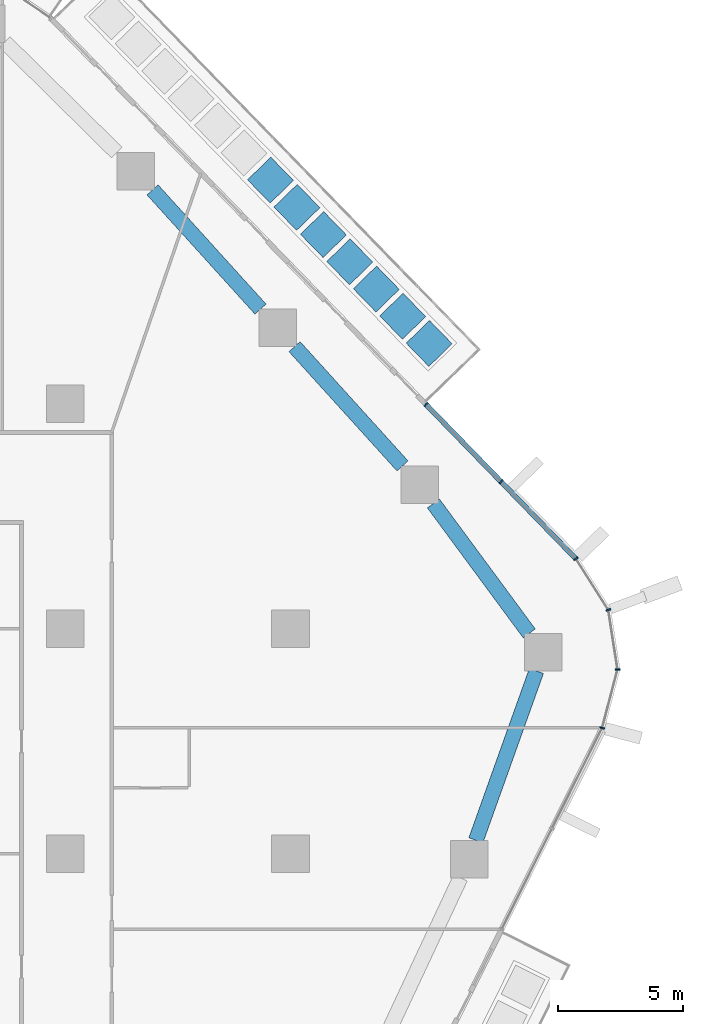
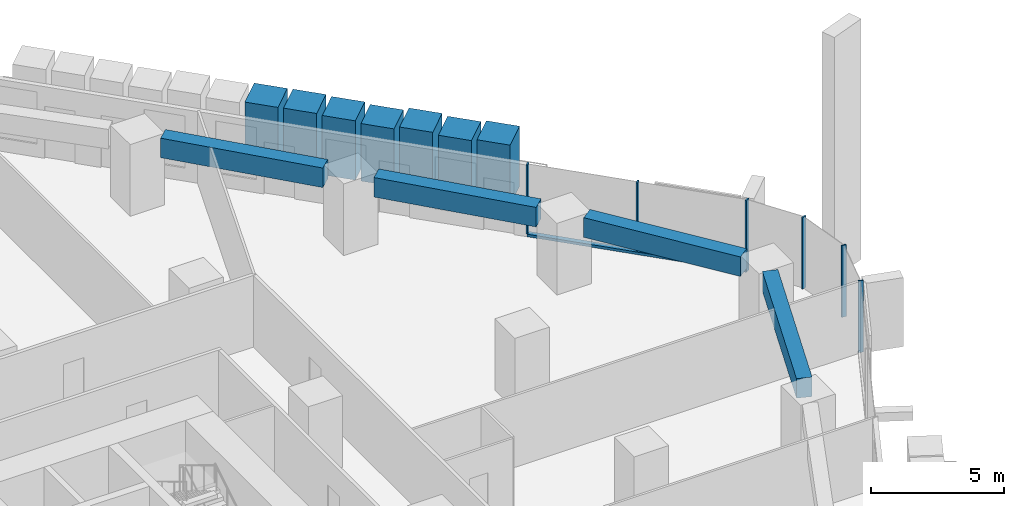
# One storey, part 8 of 26: 14 members, 4 beams, 2 elements without a shape of their own.
"""IFC4 building model written with IfcOpenShell, lengths in metres."""

from ifc_helpers import new_model, si_unit, direction, frame, origin, origin_2d, place, context, subcontext, project, spatial, rectangle, extrude, material, layer, layer_set, material_profile, profile_set, type_object, element, aggregate, save


model = new_model("IFC4")

# Units and contexts
model_context = context("Model", 3, precision=1e-05, world=origin(), true_north=direction((0.0, 1.0)))
body_context = subcontext(model_context, "Body", "Model", "MODEL_VIEW")
ifc_project = project(units=[si_unit("LENGTHUNIT", "METRE"), si_unit("AREAUNIT", "SQUARE_METRE"), si_unit("VOLUMEUNIT", "CUBIC_METRE"), si_unit("PLANEANGLEUNIT", "RADIAN"), si_unit("MASSUNIT", "GRAM", prefix="KILO")], contexts=[model_context])

# Site, building, storey
site_placement = place(None, origin())
site = spatial("IfcSite", under=ifc_project, at=site_placement, CompositionType="ELEMENT")
building_placement = place(site_placement, origin())
building = spatial("IfcBuilding", under=site, at=building_placement, Name="Dongbaek Canopy Tower", CompositionType="ELEMENT")
storey_placement = place(building_placement, frame((0.0, 0.0, 66.199951171875)))
storey = spatial("IfcBuildingStorey", under=building, at=storey_placement, Name="L12", CompositionType="ELEMENT", Elevation=66.199951171875)

# Curtain wall, members
ifc_material_1 = material(Name="Aluminium 6063-T6 pale anodised", Category="aluminium")
ifc_layer = layer(ifc_material_1, 0.199951171875)
ifc_layer_set = layer_set([ifc_layer], Name="CW-1 unitised tower curtain wall")
curtain_wall_type = type_object("IfcCurtainWallType", Name="CW-1 unitised tower curtain wall", PredefinedType="NOTDEFINED", material=ifc_layer_set)
curtain_wall_1_placement = place(storey_placement, origin())
curtain_wall_1 = element("IfcCurtainWall", 1, at=curtain_wall_1_placement, inside=storey, type_object=curtain_wall_type, Name="CW-1 curtain wall K0.1", PredefinedType="NOTDEFINED")
ifc_material_2 = material(Name="Aluminium 6063-T6 pale anodised", Category="aluminium")
ifc_material_profile_1 = material_profile(ifc_material_2, rectangle(XDim=0.199951171875, YDim=0.06005859375, at=origin_2d()), Name="CW-1 mullion 60 x 200")
ifc_profile_set_1 = profile_set([ifc_material_profile_1], Name="Aluminium 6063-T6 pale anodised")
member_type_1 = type_object("IfcMemberType", Name="CW-1 mullion 60 x 200", PredefinedType="MULLION", material=ifc_profile_set_1)
member_1_placement = place(storey_placement, frame((39.460693359375, 5.0390625, 0.0), z_axis=(0.0, 0.0, 1.0), x_axis=(0.967124445532, -0.254303572242, 0.0)))
member_1 = element("IfcMember", 2, at=member_1_placement, type_object=member_type_1, Name="CW-1 mullion K0.1.1", PredefinedType="MULLION", context=body_context, shape_type="SweptSolid", body=[
    extrude(rectangle(XDim=0.199951171875, YDim=0.06005859375, at=origin_2d()), origin(), (0.0, 0.0, 1.0), 3.300048828125),
])
member_2_placement = place(storey_placement, frame((40.07568359375, 7.37841796875, 0.0), z_axis=(0.0, 0.0, 1.0), x_axis=(0.99867447702, -0.051471243905, 0.0)))
member_2 = element("IfcMember", 3, at=member_2_placement, type_object=member_type_1, Name="CW-1 mullion K0.1.2", PredefinedType="MULLION", context=body_context, shape_type="SweptSolid", body=[
    extrude(rectangle(XDim=0.199951171875, YDim=0.06005859375, at=origin_2d()), origin(), (0.0, 0.0, 1.0), 3.300048828125),
])
member_3_placement = place(storey_placement, frame((39.7060546875, 9.758544921875, 0.0), z_axis=(0.0, 0.0, 1.0), x_axis=(0.935976740215, 0.352061843681, 0.0)))
member_3 = element("IfcMember", 4, at=member_3_placement, type_object=member_type_1, Name="CW-1 mullion K0.1.3", PredefinedType="MULLION", context=body_context, shape_type="SweptSolid", body=[
    extrude(rectangle(XDim=0.199951171875, YDim=0.06005859375, at=origin_2d()), origin(), (0.0, 0.0, 1.0), 3.300048828125),
])
member_4_placement = place(storey_placement, frame((38.409912109375, 11.801025390625, 0.0), z_axis=(0.0, 0.0, 1.0), x_axis=(0.844370826203, 0.535759188309, 0.0)))
member_4 = element("IfcMember", 5, at=member_4_placement, type_object=member_type_1, Name="CW-1 mullion K0.1.4", PredefinedType="MULLION", context=body_context, shape_type="SweptSolid", body=[
    extrude(rectangle(XDim=0.199951171875, YDim=0.06005859375, at=origin_2d()), origin(), (0.0, 0.0, 1.0), 3.300048828125),
])
aggregate(curtain_wall_1, [member_1, member_2, member_3, member_4])

curtain_wall_2_placement = place(storey_placement, origin())
curtain_wall_2 = element("IfcCurtainWall", 6, at=curtain_wall_2_placement, inside=storey, type_object=curtain_wall_type, Name="CW-1 curtain wall F0.1", PredefinedType="NOTDEFINED")
member_5_placement = place(storey_placement, frame((35.4169921875, 14.88134765625, 0.1201171875), z_axis=(0.0, 0.0, 1.0), x_axis=(0.717186200853, 0.696881592027, 0.0)))
member_5 = element("IfcMember", 7, at=member_5_placement, type_object=member_type_1, Name="CW-1 mullion F0.1.2", PredefinedType="MULLION", context=body_context, shape_type="SweptSolid", body=[
    extrude(rectangle(XDim=0.199951171875, YDim=0.06005859375, at=origin_2d()), origin(), (0.0, 0.0, 1.0), 3.179931640625),
])
member_6_placement = place(storey_placement, frame((32.41650390625, 17.968994140625, 0.1201171875), z_axis=(0.0, 0.0, 1.0), x_axis=(0.717186200853, 0.696881592027, 0.0)))
member_6 = element("IfcMember", 8, at=member_6_placement, type_object=member_type_1, Name="CW-1 mullion F0.1.3", PredefinedType="MULLION", context=body_context, shape_type="SweptSolid", body=[
    extrude(rectangle(XDim=0.199951171875, YDim=0.06005859375, at=origin_2d()), origin(), (0.0, 0.0, 1.0), 3.179931640625),
])
ifc_material_3 = material(Name="Aluminium 6063-T6 pale anodised", Category="aluminium")
ifc_material_profile_2 = material_profile(ifc_material_3, rectangle(XDim=0.199951171875, YDim=0.1201171875, at=origin_2d()), Name="CW-1 transom 120 x 200")
ifc_profile_set_2 = profile_set([ifc_material_profile_2], Name="Aluminium 6063-T6 pale anodised")
member_type_2 = type_object("IfcMemberType", Name="CW-1 transom 120 x 200", PredefinedType="USERDEFINED", material=ifc_profile_set_2)
member_7_placement = place(storey_placement, frame((38.409912109375, 11.801025390625, 0.06005859375), z_axis=(-0.696885409433, 0.717182491504, 0.0), x_axis=(-0.717182491504, -0.696885409433, 0.0)))
member_7 = element("IfcMember", 9, at=member_7_placement, type_object=member_type_2, Name="CW-1 transom F0.1.1", ObjectType="TRANSOM", PredefinedType="USERDEFINED", context=body_context, shape_type="SweptSolid", body=[
    extrude(rectangle(XDim=0.199951171875, YDim=0.1201171875, at=origin_2d()), origin(), (0.0, 0.0, 1.0), 8.600341796875),
])
aggregate(curtain_wall_2, [member_5, member_6, member_7])

# Beams
ifc_material_4 = material(Name="Concrete C80", Category="concrete")
ifc_material_profile_3 = material_profile(ifc_material_4, rectangle(XDim=0.60009765625, YDim=0.89990234375, at=origin_2d()), Name="RC EDGE BEAM 600x900 C80")
ifc_profile_set_3 = profile_set([ifc_material_profile_3], Name="Concrete C80")
beam_type = type_object("IfcBeamType", Name="RC EDGE BEAM 600x900 C80", PredefinedType="BEAM", material=ifc_profile_set_3)
beam_1_placement = place(storey_placement, frame((21.484375, 26.547119140625, 2.85009765625), z_axis=(0.671288874095, -0.741195822652, 0.0), x_axis=(0.741195822652, 0.671288874095, 0.0)))
element("IfcBeam", 10, at=beam_1_placement, inside=storey, type_object=beam_type, Name="EDGEBEAM:L12:18", PredefinedType="BEAM", context=body_context, shape_type="SweptSolid", body=[
    extrude(rectangle(XDim=0.60009765625, YDim=0.89990234375, at=origin_2d()), origin(), (0.0, 0.0, 1.0), 6.432861328125),
])
beam_2_placement = place(storey_placement, frame((27.1611328125, 20.279052734375, 2.85009765625), z_axis=(0.671226318279, -0.741252473621, 0.0), x_axis=(0.741252473621, 0.671226318279, 0.0)))
element("IfcBeam", 11, at=beam_2_placement, inside=storey, type_object=beam_type, Name="EDGEBEAM:L12:19", PredefinedType="BEAM", context=body_context, shape_type="SweptSolid", body=[
    extrude(rectangle(XDim=0.60009765625, YDim=0.89990234375, at=origin_2d()), origin(), (0.0, 0.0, 1.0), 6.432373046875),
])
beam_3_placement = place(storey_placement, frame((32.71142578125, 14.010986328125, 2.85009765625), z_axis=(0.593731643304, -0.804663119411, 0.0), x_axis=(0.804663119411, 0.593731643304, 0.0)))
element("IfcBeam", 12, at=beam_3_placement, inside=storey, type_object=beam_type, Name="EDGEBEAM:L12:20", PredefinedType="BEAM", context=body_context, shape_type="SweptSolid", body=[
    extrude(rectangle(XDim=0.60009765625, YDim=0.89990234375, at=origin_2d()), origin(), (0.0, 0.0, 1.0), 6.456298828125),
])
beam_4_placement = place(storey_placement, frame((36.830078125, 7.31591796875, 2.85009765625), z_axis=(-0.336456848831, -0.941698884397, 0.0), x_axis=(0.941698884397, -0.336456848831, 0.0)))
element("IfcBeam", 13, at=beam_4_placement, inside=storey, type_object=beam_type, Name="EDGEBEAM:L12:21", PredefinedType="BEAM", context=body_context, shape_type="SweptSolid", body=[
    extrude(rectangle(XDim=0.60009765625, YDim=0.89990234375, at=origin_2d()), origin(), (0.0, 0.0, 1.0), 7.190185546875),
])

# Members
ifc_material_5 = material(Name="Concrete C40/50 planter mass with planting", Category="concrete")
ifc_material_profile_4 = material_profile(ifc_material_5, rectangle(XDim=1.300048828125, YDim=1.300048828125, at=origin_2d()), Name="Terrace PLANTER shrub mass 1300 x 1300")
ifc_profile_set_4 = profile_set([ifc_material_profile_4], Name="Concrete C40/50 planter mass with planting")
member_type_3 = type_object("IfcMemberType", Name="Terrace PLANTER shrub mass 1300 x 1300", PredefinedType="USERDEFINED", material=ifc_profile_set_4)
member_8_placement = place(storey_placement, frame((32.54443359375, 20.406005859375, 0.420166015625), z_axis=(0.0, 0.0, 1.0), x_axis=(0.717186200853, 0.696881592027, 0.0)))
element("IfcMember", 14, at=member_8_placement, inside=storey, type_object=member_type_3, Name="Planter shrubs L12 1.1", ObjectType="PLANTER", PredefinedType="USERDEFINED", context=body_context, shape_type="SweptSolid", body=[
    extrude(rectangle(XDim=1.300048828125, YDim=1.300048828125, at=origin_2d()), origin(), (0.0, 0.0, 1.0), 2.769775390625),
])
member_9_placement = place(storey_placement, frame((31.487060546875, 21.494384765625, 0.420166015625), z_axis=(0.0, 0.0, 1.0), x_axis=(0.717186200853, 0.696881592027, 0.0)))
element("IfcMember", 15, at=member_9_placement, inside=storey, type_object=member_type_3, Name="Planter shrubs L12 1.2", ObjectType="PLANTER", PredefinedType="USERDEFINED", context=body_context, shape_type="SweptSolid", body=[
    extrude(rectangle(XDim=1.300048828125, YDim=1.300048828125, at=origin_2d()), origin(), (0.0, 0.0, 1.0), 2.68994140625),
])
member_10_placement = place(storey_placement, frame((30.429443359375, 22.58251953125, 0.420166015625), z_axis=(0.0, 0.0, 1.0), x_axis=(0.717186200853, 0.696881592027, 0.0)))
element("IfcMember", 16, at=member_10_placement, inside=storey, type_object=member_type_3, Name="Planter shrubs L12 1.3", ObjectType="PLANTER", PredefinedType="USERDEFINED", context=body_context, shape_type="SweptSolid", body=[
    extrude(rectangle(XDim=1.300048828125, YDim=1.300048828125, at=origin_2d()), origin(), (0.0, 0.0, 1.0), 2.77978515625),
])
member_11_placement = place(storey_placement, frame((29.3720703125, 23.6708984375, 0.420166015625), z_axis=(0.0, 0.0, 1.0), x_axis=(0.717186200853, 0.696881592027, 0.0)))
element("IfcMember", 17, at=member_11_placement, inside=storey, type_object=member_type_3, Name="Planter shrubs L12 1.4", ObjectType="PLANTER", PredefinedType="USERDEFINED", context=body_context, shape_type="SweptSolid", body=[
    extrude(rectangle(XDim=1.300048828125, YDim=1.300048828125, at=origin_2d()), origin(), (0.0, 0.0, 1.0), 2.64990234375),
])
member_12_placement = place(storey_placement, frame((28.314697265625, 24.759033203125, 0.420166015625), z_axis=(0.0, 0.0, 1.0), x_axis=(0.717186200853, 0.696881592027, 0.0)))
element("IfcMember", 18, at=member_12_placement, inside=storey, type_object=member_type_3, Name="Planter shrubs L12 1.5", ObjectType="PLANTER", PredefinedType="USERDEFINED", context=body_context, shape_type="SweptSolid", body=[
    extrude(rectangle(XDim=1.300048828125, YDim=1.300048828125, at=origin_2d()), origin(), (0.0, 0.0, 1.0), 2.72998046875),
])
member_13_placement = place(storey_placement, frame((27.257080078125, 25.847412109375, 0.420166015625), z_axis=(0.0, 0.0, 1.0), x_axis=(0.717186200853, 0.696881592027, 0.0)))
element("IfcMember", 19, at=member_13_placement, inside=storey, type_object=member_type_3, Name="Planter shrubs L12 1.6", ObjectType="PLANTER", PredefinedType="USERDEFINED", context=body_context, shape_type="SweptSolid", body=[
    extrude(rectangle(XDim=1.300048828125, YDim=1.300048828125, at=origin_2d()), origin(), (0.0, 0.0, 1.0), 2.77978515625),
])
member_14_placement = place(storey_placement, frame((26.19970703125, 26.935546875, 0.420166015625), z_axis=(0.0, 0.0, 1.0), x_axis=(0.717186200853, 0.696881592027, 0.0)))
element("IfcMember", 20, at=member_14_placement, inside=storey, type_object=member_type_3, Name="Planter shrubs L12 1.7", ObjectType="PLANTER", PredefinedType="USERDEFINED", context=body_context, shape_type="SweptSolid", body=[
    extrude(rectangle(XDim=1.300048828125, YDim=1.300048828125, at=origin_2d()), origin(), (0.0, 0.0, 1.0), 2.769775390625),
])

save(model, "model.ifc")
